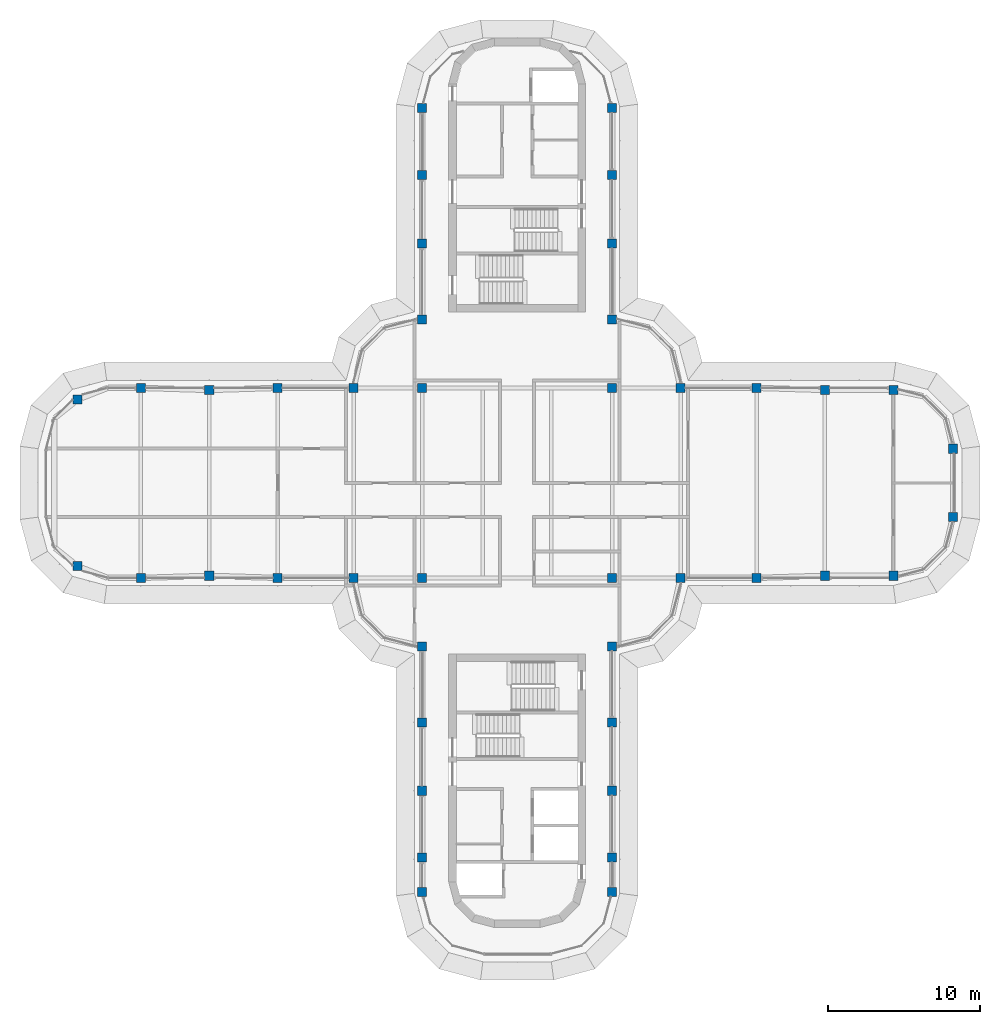
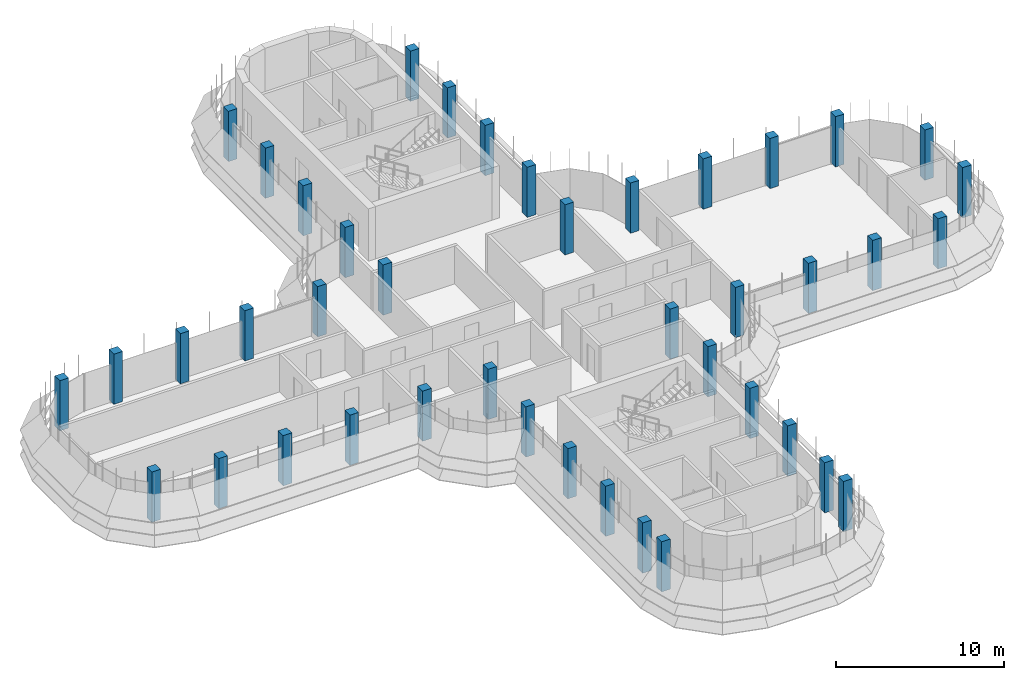
# One storey, part 1 of 19: 42 columns.
"""IFC4 building model written with IfcOpenShell, lengths in metres."""

from ifc_helpers import new_model, si_unit, direction, frame, origin, origin_2d, place, context, subcontext, project, spatial, rectangle, extrude, material, material_profile, profile_set, type_object, element, save


model = new_model("IFC4")

# Units and contexts
model_context = context("Model", 3, precision=1e-05, world=origin(), true_north=direction((0.0, 1.0)))
body_context = subcontext(model_context, "Body", "Model", "MODEL_VIEW")
ifc_project = project(units=[si_unit("LENGTHUNIT", "METRE"), si_unit("AREAUNIT", "SQUARE_METRE"), si_unit("VOLUMEUNIT", "CUBIC_METRE"), si_unit("PLANEANGLEUNIT", "RADIAN"), si_unit("MASSUNIT", "GRAM", prefix="KILO")], contexts=[model_context])

# Site, building, storey
site_placement = place(None, origin())
site = spatial("IfcSite", under=ifc_project, at=site_placement, CompositionType="ELEMENT")
building_placement = place(site_placement, origin())
building = spatial("IfcBuilding", under=site, at=building_placement, Name="Zarbagh Exchange Tower", CompositionType="ELEMENT")
storey_placement = place(building_placement, frame((0.0, 0.0, 280.199951171875)))
storey = spatial("IfcBuildingStorey", under=building, at=storey_placement, Name="L69", CompositionType="ELEMENT", Elevation=280.199951171875)

# Columns
ifc_material = material(Name="Concrete C40/50", Category="concrete")
ifc_material_profile = material_profile(ifc_material, rectangle(XDim=0.60009765625, YDim=0.60009765625, at=origin_2d()), Name="RC column 600 x 600 C40/50")
ifc_profile_set = profile_set([ifc_material_profile], Name="Concrete C40/50")
column_type = type_object("IfcColumnType", Name="RC column 600 x 600 C40/50", PredefinedType="COLUMN", material=ifc_profile_set)
for number, where, z_axis, x_axis, name in (
    (1, (-28.907958984375, -5.47509765625, 0.0), (0.0, 0.0, 1.0), (1.0, 0.0, 0.0), "C6 11/R"),
    (2, (-28.907958984375, 5.47509765625, 0.0), (0.0, 0.0, 1.0), (1.0, 0.0, 0.0), "C6 11/U"),
    (3, (-24.75, -6.25, 0.0), (0.0, 0.0, 1.0), (1.0, 0.0, 0.0), "C6 12/R"),
    (4, (-24.75, 6.25, 0.0), (0.0, 0.0, 1.0), (1.0, 0.0, 0.0), "C6 12/U"),
    (5, (-20.25, -6.110107421875, 0.0), (0.0, 0.0, 1.0), (1.0, 0.0, 0.0), "C6 13/R"),
    (6, (-20.25, 6.110107421875, 0.0), (0.0, 0.0, 1.0), (1.0, 0.0, 0.0), "C6 13/U"),
    (7, (-15.75, -6.25, 0.0), (0.0, 0.0, 1.0), (1.0, 0.0, 0.0), "C6 14/R"),
    (8, (-15.75, 6.25, 0.0), (0.0, 0.0, 1.0), (1.0, 0.0, 0.0), "C6 14/U"),
    (9, (-10.75, -6.25, 0.0), (0.0, 0.0, 1.0), (1.0, 0.0, 0.0), "C6 15/R"),
    (10, (-10.75, 6.25, 0.0), (0.0, 0.0, 1.0), (1.0, 0.0, 0.0), "C6 15/U"),
    (11, (-6.25, -26.89990234375, 0.0), (0.0, 0.0, 1.0), (1.0, 0.0, 0.0), "C6 16/L"),
    (12, (-6.25, -24.64990234375, 0.0), (0.0, 0.0, 1.0), (1.0, 0.0, 0.0), "C6 16/M"),
    (13, (-6.25, -20.25, 0.0), (0.0, 0.0, 1.0), (1.0, 0.0, 0.0), "C6 16/N"),
    (14, (-6.25, -15.75, 0.0), (0.0, 0.0, 1.0), (1.0, 0.0, 0.0), "C6 16/P"),
    (15, (-6.25, -10.75, 0.0), (0.0, 0.0, 1.0), (1.0, 0.0, 0.0), "C6 16/Q"),
    (16, (-6.25, -6.25, 0.0), (0.0, 0.0, 1.0), (1.0, 0.0, 0.0), "C6 16/R"),
    (17, (-6.25, 6.25, 0.0), (0.0, 0.0, 1.0), (1.0, 0.0, 0.0), "C6 16/U"),
    (18, (-6.25, 10.75, 0.0), (0.0, 0.0, 1.0), (1.0, 0.0, 0.0), "C6 16/V"),
    (19, (-6.25, 15.75, 0.0), (0.0, 0.0, 1.0), (1.0, 0.0, 0.0), "C6 16/W"),
    (20, (-6.25, 20.25, 0.0), (0.0, 0.0, 1.0), (1.0, 0.0, 0.0), "C6 16/X"),
    (21, (-6.25, 24.64990234375, 0.0), (0.0, 0.0, 1.0), (1.0, 0.0, 0.0), "C6 16/Y"),
    (22, (6.25, -26.89990234375, 0.0), (0.0, 0.0, 1.0), (1.0, 0.0, 0.0), "C6 19/L"),
    (23, (6.25, -24.64990234375, 0.0), (0.0, 0.0, 1.0), (1.0, 0.0, 0.0), "C6 19/M"),
    (24, (6.25, -20.25, 0.0), (0.0, 0.0, 1.0), (1.0, 0.0, 0.0), "C6 19/N"),
    (25, (6.25, -15.75, 0.0), (0.0, 0.0, 1.0), (1.0, 0.0, 0.0), "C6 19/P"),
    (26, (6.25, -10.75, 0.0), (0.0, 0.0, 1.0), (1.0, 0.0, 0.0), "C6 19/Q"),
    (27, (6.25, -6.25, 0.0), (0.0, 0.0, 1.0), (1.0, 0.0, 0.0), "C6 19/R"),
    (28, (6.25, 6.25, 0.0), (0.0, 0.0, 1.0), (1.0, 0.0, 0.0), "C6 19/U"),
    (29, (6.25, 10.75, 0.0), (0.0, 0.0, 1.0), (1.0, 0.0, 0.0), "C6 19/V"),
    (30, (6.25, 15.75, 0.0), (0.0, 0.0, 1.0), (1.0, 0.0, 0.0), "C6 19/W"),
    (31, (6.25, 20.25, 0.0), (0.0, 0.0, 1.0), (1.0, 0.0, 0.0), "C6 19/X"),
    (32, (6.25, 24.64990234375, 0.0), (0.0, 0.0, 1.0), (1.0, 0.0, 0.0), "C6 19/Y"),
    (33, (10.75, -6.25, 0.0), (0.0, 0.0, 1.0), (1.0, 0.0, 0.0), "C6 20/R"),
    (34, (10.75, 6.25, 0.0), (0.0, 0.0, 1.0), (1.0, 0.0, 0.0), "C6 20/U"),
    (35, (15.75, -6.25, 0.0), (0.0, 0.0, 1.0), (1.0, 0.0, 0.0), "C6 21/R"),
    (36, (15.75, 6.25, 0.0), (0.0, 0.0, 1.0), (1.0, 0.0, 0.0), "C6 21/U"),
    (37, (20.25, -6.110107421875, 0.0), (0.0, 0.0, 1.0), (1.0, 0.0, 0.0), "C6 22/R"),
    (38, (20.25, 6.110107421875, 0.0), (0.0, 0.0, 1.0), (1.0, 0.0, 0.0), "C6 22/U"),
    (39, (24.75, -6.110107421875, 0.0), (0.0, 0.0, 1.0), (1.0, 0.0, 0.0), "C6 23/R"),
    (40, (24.75, 6.110107421875, 0.0), (0.0, 0.0, 1.0), (1.0, 0.0, 0.0), "C6 23/U"),
    (41, (28.669921875, -2.25, 0.0), (0.0, 0.0, 1.0), (1.0, 0.0, 0.0), "C6 24/S"),
    (42, (28.669921875, 2.25, 0.0), (0.0, 0.0, 1.0), (1.0, 0.0, 0.0), "C6 24/T"),
):
    element("IfcColumn", number, at=place(storey_placement, frame(where, z_axis=z_axis, x_axis=x_axis)), inside=storey, type_object=column_type, Name=name, PredefinedType="COLUMN", context=body_context, shape_type="SweptSolid", body=[
        extrude(rectangle(XDim=0.60009765625, YDim=0.60009765625, at=origin_2d()), origin(), (0.0, 0.0, 1.0), 3.650146484375),
    ])

save(model, "model.ifc")
